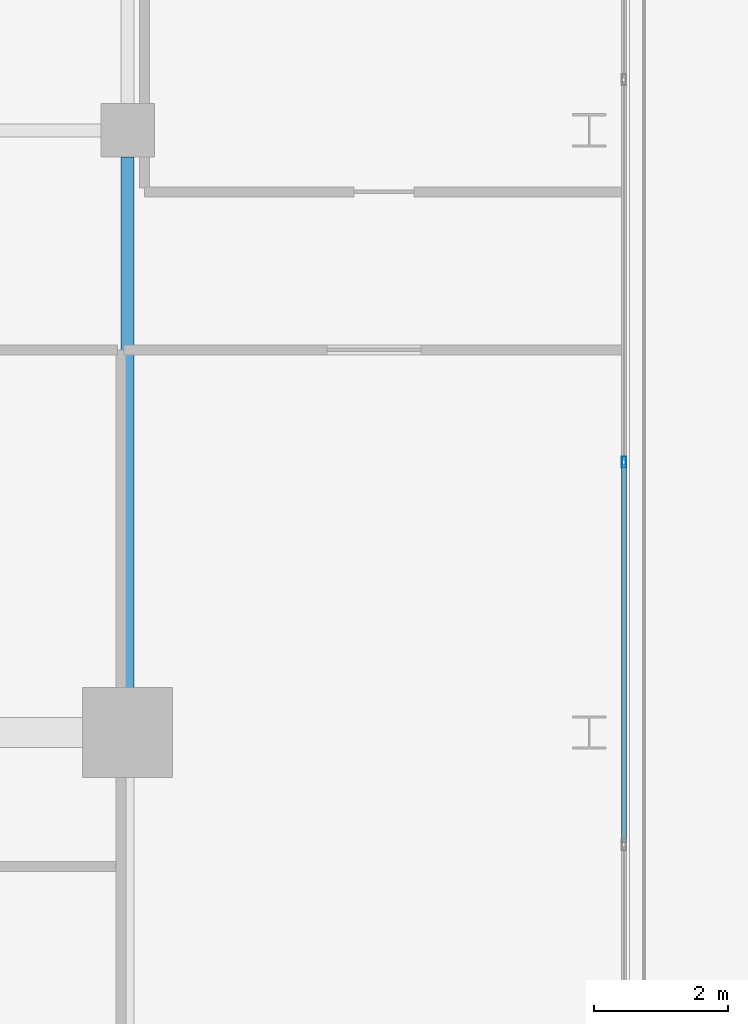
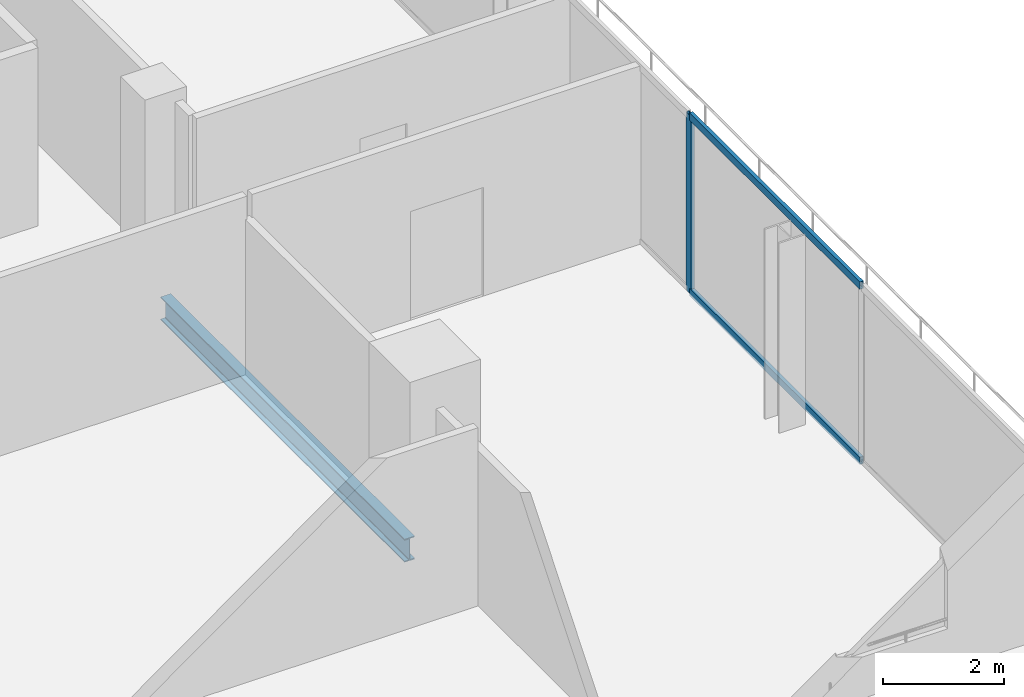
# One storey, part 10 of 21: 3 members, 1 beam, 1 element without a shape of its own.
"""IFC4 building model written with IfcOpenShell, lengths in metres."""

from ifc_helpers import new_model, si_unit, direction, frame, origin, origin_2d, place, context, subcontext, project, spatial, hollow_rectangle, i_section, extrude, material, layer, layer_set, material_profile, profile_set, type_object, element, aggregate, save


model = new_model("IFC4")

# Units and contexts
model_context = context("Model", 3, precision=1e-05, world=origin(), true_north=direction((0.0, 1.0)))
body_context = subcontext(model_context, "Body", "Model", "MODEL_VIEW")
ifc_project = project(units=[si_unit("LENGTHUNIT", "METRE"), si_unit("AREAUNIT", "SQUARE_METRE"), si_unit("VOLUMEUNIT", "CUBIC_METRE"), si_unit("PLANEANGLEUNIT", "RADIAN"), si_unit("MASSUNIT", "GRAM", prefix="KILO")], contexts=[model_context])

# Site, building, storey
site_placement = place(None, origin())
site = spatial("IfcSite", under=ifc_project, at=site_placement, CompositionType="ELEMENT")
building_placement = place(site_placement, origin())
building = spatial("IfcBuilding", under=site, at=building_placement, Name="Maruvema Waterfront Hotel and Observation Tower", CompositionType="ELEMENT")
storey_placement = place(building_placement, frame((0.0, 0.0, 322.0)))
storey = spatial("IfcBuildingStorey", under=building, at=storey_placement, Name="L79", CompositionType="ELEMENT", Elevation=322.0)

# Curtain wall, members
ifc_material_1 = material(Name="Anodised bronze aluminium and solar-control low-E IGU", Category="aluminium")
ifc_layer = layer(ifc_material_1, 0.159912109375, Name="Zone 4 Sky Residence Inner Curtain Wall System CW-05")
ifc_layer_set = layer_set([ifc_layer], Name="Anodised bronze aluminium and solar-control low-E IGU")
curtain_wall_type = type_object("IfcCurtainWallType", Name="Zone 4 Sky Residence Inner Curtain Wall System CW-05", PredefinedType="USERDEFINED", material=ifc_layer_set)
curtain_wall_placement = place(storey_placement, origin())
curtain_wall = element("IfcCurtainWall", 1, at=curtain_wall_placement, inside=storey, type_object=curtain_wall_type, Name="L79 Curtain Wall CW-L79-E", ObjectType="UNITISED CURTAIN WALL", PredefinedType="USERDEFINED")
ifc_material_2 = material(Name="Anodised architectural bronze aluminium", Category="aluminium")
ifc_material_profile_1 = material_profile(ifc_material_2, hollow_rectangle(XDim=0.070068359375, YDim=0.14990234375, WallThickness=0.00390625, at=origin_2d()), Name="ALU-T70x150")
ifc_profile_set_1 = profile_set([ifc_material_profile_1], Name="Anodised architectural bronze aluminium")
member_type_1 = type_object("IfcMemberType", Name="Curtain Wall Horizontal Transom ALU-T70x150", PredefinedType="USERDEFINED", material=ifc_profile_set_1)
member_1_placement = place(storey_placement, frame((57.820068359375, 25.35009765625, 0.030029296875), z_axis=(0.0, 1.0, 0.0), x_axis=(-1.0, 0.0, 0.0)))
member_1 = element("IfcMember", 2, at=member_1_placement, type_object=member_type_1, Name="CW-05 transom 2.1", ObjectType="TRANSOM", PredefinedType="USERDEFINED", context=body_context, shape_type="SweptSolid", body=[
    extrude(hollow_rectangle(XDim=0.070068359375, YDim=0.14990234375, WallThickness=0.00390625, at=origin_2d()), origin(), (0.0, 0.0, 1.0), 5.659912109375),
])
member_2_placement = place(storey_placement, frame((57.820068359375, 25.35009765625, 3.580078125), z_axis=(0.0, 1.0, 0.0), x_axis=(-1.0, 0.0, 0.0)))
member_2 = element("IfcMember", 3, at=member_2_placement, type_object=member_type_1, Name="CW-05 transom 2.2", ObjectType="TRANSOM", PredefinedType="USERDEFINED", context=body_context, shape_type="SweptSolid", body=[
    extrude(hollow_rectangle(XDim=0.070068359375, YDim=0.14990234375, WallThickness=0.00390625, at=origin_2d()), origin(), (0.0, 0.0, 1.0), 5.659912109375),
])
ifc_material_3 = material(Name="Anodised architectural bronze aluminium", Category="aluminium")
ifc_material_profile_2 = material_profile(ifc_material_3, hollow_rectangle(XDim=0.06494140625, YDim=0.1650390625, WallThickness=0.00390625, at=origin_2d()), Name="ALU-M65x165")
ifc_profile_set_2 = profile_set([ifc_material_profile_2], Name="Anodised architectural bronze aluminium")
member_type_2 = type_object("IfcMemberType", Name="Curtain Wall Primary Mullion ALU-M65x165", PredefinedType="MULLION", material=ifc_profile_set_2)
member_3_placement = place(storey_placement, frame((57.820068359375, 31.0400390625, 0.0), z_axis=(0.0, 0.0, 1.0), x_axis=(-1.0, 0.0, 0.0)))
member_3 = element("IfcMember", 4, at=member_3_placement, type_object=member_type_2, Name="CW-05 mullion 3", PredefinedType="MULLION", context=body_context, shape_type="SweptSolid", body=[
    extrude(hollow_rectangle(XDim=0.06494140625, YDim=0.1650390625, WallThickness=0.00390625, at=origin_2d()), origin(), (0.0, 0.0, 1.0), 3.610107421875),
])
aggregate(curtain_wall, [member_3, member_1, member_2])

# Beam
ifc_material_4 = material(Name="Steel ASTM A572 Grade 50", Category="steel")
ifc_material_profile_3 = material_profile(ifc_material_4, i_section(OverallWidth=0.194091796875, OverallDepth=0.468994140625, WebThickness=0.0126953125, FlangeThickness=0.0205078125, FilletRadius=0.014892578125, at=origin_2d()), Name="W460x106.0")
ifc_profile_set_3 = profile_set([ifc_material_profile_3], Name="Steel ASTM A572 Grade 50")
beam_type = type_object("IfcBeamType", Name="Primary Floor Girder W460x106.0", PredefinedType="BEAM", material=ifc_profile_set_3)
beam_placement = place(storey_placement, frame((50.39990234375, 27.5, -0.474609375), z_axis=(0.0, 1.0, 0.0), x_axis=(-1.0, 0.0, 0.0)))
element("IfcBeam", 5, at=beam_placement, inside=storey, type_object=beam_type, Name="L79 Floor Girder NS-07", PredefinedType="BEAM", context=body_context, shape_type="SweptSolid", body=[
    extrude(i_section(OverallWidth=0.194091796875, OverallDepth=0.468994140625, WebThickness=0.0126953125, FlangeThickness=0.0205078125, FilletRadius=0.014892578125, at=origin_2d()), origin(), (0.0, 0.0, 1.0), 8.10009765625),
])

save(model, "model.ifc")
